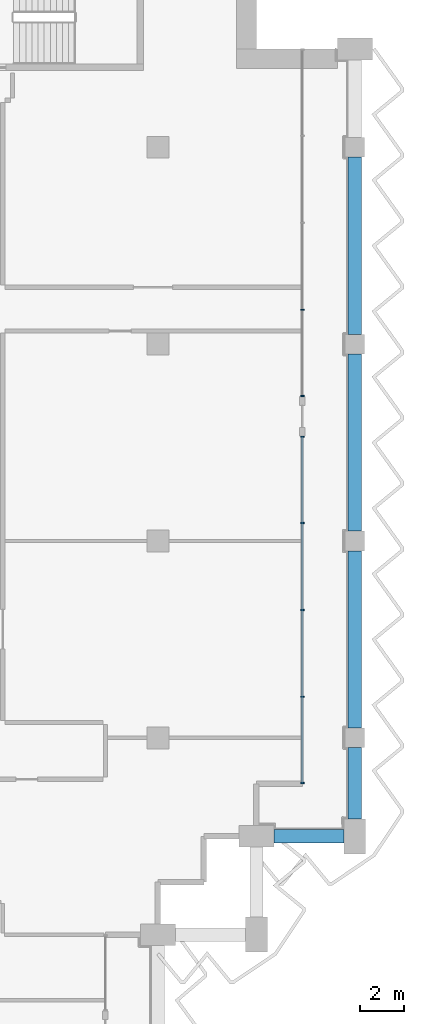
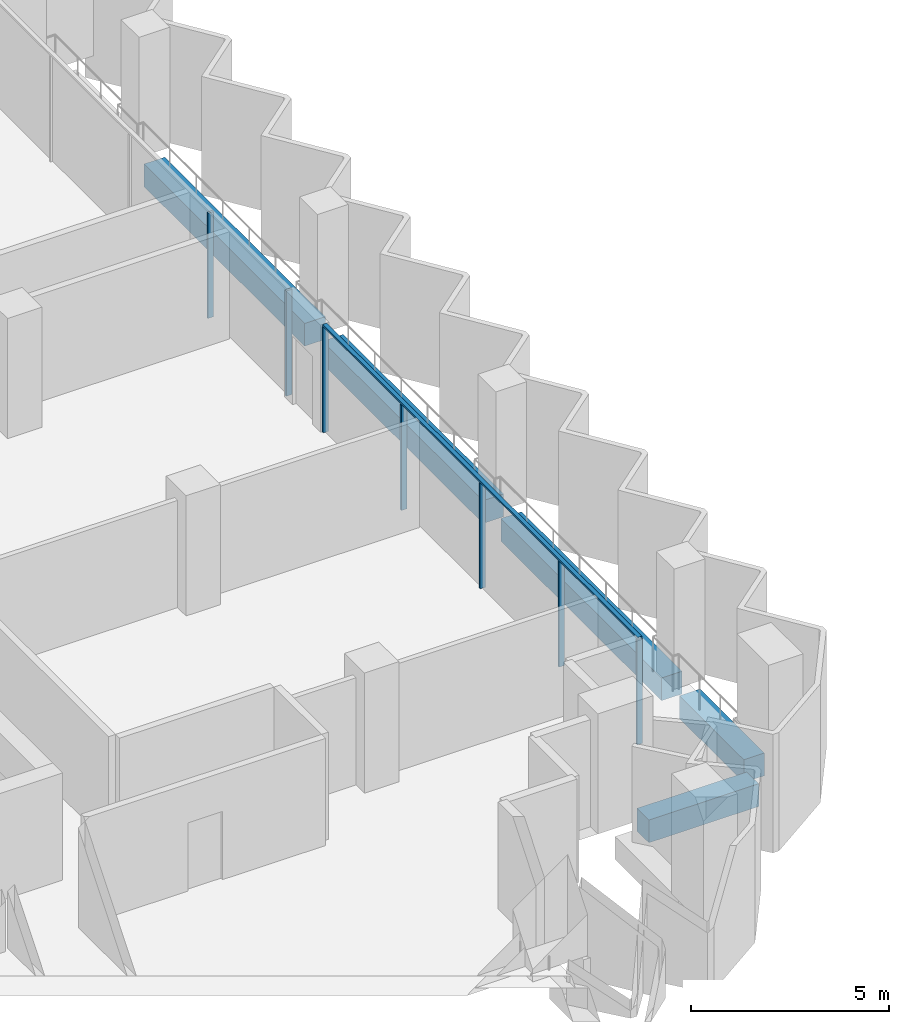
# One storey, part 4 of 16: 8 members, 5 beams, 2 elements without a shape of their own.
"""IFC4 building model written with IfcOpenShell, lengths in metres."""

from ifc_helpers import new_model, si_unit, direction, frame, origin, origin_2d, place, context, subcontext, project, spatial, rectangle, extrude, material, material_profile, profile_set, type_object, element, aggregate, save


model = new_model("IFC4")

# Units and contexts
model_context = context("Model", 3, precision=1e-05, world=origin(), true_north=direction((0.0, 1.0)))
body_context = subcontext(model_context, "Body", "Model", "MODEL_VIEW")
ifc_project = project(units=[si_unit("LENGTHUNIT", "METRE"), si_unit("AREAUNIT", "SQUARE_METRE"), si_unit("VOLUMEUNIT", "CUBIC_METRE"), si_unit("PLANEANGLEUNIT", "RADIAN"), si_unit("MASSUNIT", "GRAM", prefix="KILO")], contexts=[model_context])

# Site, building, storey
site_placement = place(None, origin())
site = spatial("IfcSite", under=ifc_project, at=site_placement, CompositionType="ELEMENT")
building_placement = place(site_placement, origin())
building = spatial("IfcBuilding", under=site, at=building_placement, Name="Hunhe Ridgeline Campus", CompositionType="ELEMENT")
storey_placement = place(building_placement, frame((0.0, 0.0, 254.0)))
storey = spatial("IfcBuildingStorey", under=building, at=storey_placement, Name="L65", CompositionType="ELEMENT", Elevation=254.0)

# Curtain wall, members
ifc_material_1 = material(Name="Aluminium 6063", Category="aluminium")
curtain_wall_type = type_object("IfcCurtainWallType", Name="Curtain wall CW-1", PredefinedType="NOTDEFINED", material=ifc_material_1)
curtain_wall_1_placement = place(storey_placement, origin())
curtain_wall_1 = element("IfcCurtainWall", 1, at=curtain_wall_1_placement, inside=storey, type_object=curtain_wall_type, Name="Curtain wall 13", PredefinedType="NOTDEFINED")
ifc_material_profile_1 = material_profile(ifc_material_1, rectangle(XDim=0.159912109375, YDim=0.06005859375, at=origin_2d()))
ifc_profile_set_1 = profile_set([ifc_material_profile_1], Name="Aluminium 6063")
member_type_1 = type_object("IfcMemberType", Name="CW-1 aluminium mullion", PredefinedType="MULLION", material=ifc_profile_set_1)
member_1_placement = place(storey_placement, frame((51.59912109375, 60.930908203125, 0.0), z_axis=(0.0, 0.0, 1.0), x_axis=(-1.0, 0.0, 0.0)))
member_1 = element("IfcMember", 2, at=member_1_placement, type_object=member_type_1, Name="CW-1 mullion 1", PredefinedType="MULLION", context=body_context, shape_type="SweptSolid", body=[
    extrude(rectangle(XDim=0.159912109375, YDim=0.06005859375, at=origin_2d()), origin(), (0.0, 0.0, 1.0), 3.239990234375),
])
member_2_placement = place(storey_placement, frame((51.59912109375, 64.8759765625, 0.0), z_axis=(0.0, 0.0, 1.0), x_axis=(-1.0, 0.0, 0.0)))
member_2 = element("IfcMember", 3, at=member_2_placement, type_object=member_type_1, Name="CW-1 mullion 2", PredefinedType="MULLION", context=body_context, shape_type="SweptSolid", body=[
    extrude(rectangle(XDim=0.159912109375, YDim=0.06005859375, at=origin_2d()), origin(), (0.0, 0.0, 1.0), 3.239990234375),
])
member_3_placement = place(storey_placement, frame((51.59912109375, 68.850830078125, 0.0), z_axis=(0.0, 0.0, 1.0), x_axis=(-1.0, 0.0, 0.0)))
member_3 = element("IfcMember", 4, at=member_3_placement, type_object=member_type_1, Name="CW-1 mullion 3", PredefinedType="MULLION", context=body_context, shape_type="SweptSolid", body=[
    extrude(rectangle(XDim=0.159912109375, YDim=0.06005859375, at=origin_2d()), origin(), (0.0, 0.0, 1.0), 3.239990234375),
])
member_4_placement = place(storey_placement, frame((51.59912109375, 72.82568359375, 0.0), z_axis=(0.0, 0.0, 1.0), x_axis=(-1.0, 0.0, 0.0)))
member_4 = element("IfcMember", 5, at=member_4_placement, type_object=member_type_1, Name="CW-1 mullion 4", PredefinedType="MULLION", context=body_context, shape_type="SweptSolid", body=[
    extrude(rectangle(XDim=0.159912109375, YDim=0.06005859375, at=origin_2d()), origin(), (0.0, 0.0, 1.0), 3.239990234375),
])
member_5_placement = place(storey_placement, frame((51.59912109375, 76.7705078125, 0.0), z_axis=(0.0, 0.0, 1.0), x_axis=(-1.0, 0.0, 0.0)))
member_5 = element("IfcMember", 6, at=member_5_placement, type_object=member_type_1, Name="CW-1 mullion 5", PredefinedType="MULLION", context=body_context, shape_type="SweptSolid", body=[
    extrude(rectangle(XDim=0.159912109375, YDim=0.06005859375, at=origin_2d()), origin(), (0.0, 0.0, 1.0), 3.239990234375),
])

curtain_wall_2_placement = place(storey_placement, origin())
curtain_wall_2 = element("IfcCurtainWall", 7, at=curtain_wall_2_placement, inside=storey, type_object=curtain_wall_type, Name="Curtain wall 14", PredefinedType="NOTDEFINED")
member_6_placement = place(storey_placement, frame((51.59912109375, 78.630615234375, 0.0), z_axis=(0.0, 0.0, 1.0), x_axis=(-1.0, 0.0, 0.0)))
member_6 = element("IfcMember", 8, at=member_6_placement, type_object=member_type_1, Name="CW-1 mullion 1", PredefinedType="MULLION", context=body_context, shape_type="SweptSolid", body=[
    extrude(rectangle(XDim=0.159912109375, YDim=0.06005859375, at=origin_2d()), origin(), (0.0, 0.0, 1.0), 3.239990234375),
])
member_7_placement = place(storey_placement, frame((51.59912109375, 82.575439453125, 0.0), z_axis=(0.0, 0.0, 1.0), x_axis=(-1.0, 0.0, 0.0)))
member_7 = element("IfcMember", 9, at=member_7_placement, type_object=member_type_1, Name="CW-1 mullion 2", PredefinedType="MULLION", context=body_context, shape_type="SweptSolid", body=[
    extrude(rectangle(XDim=0.159912109375, YDim=0.06005859375, at=origin_2d()), origin(), (0.0, 0.0, 1.0), 3.239990234375),
])
aggregate(curtain_wall_2, [member_6, member_7])

# Member
ifc_material_profile_2 = material_profile(ifc_material_1, rectangle(XDim=0.1201171875, YDim=0.06005859375, at=origin_2d()))
ifc_profile_set_2 = profile_set([ifc_material_profile_2], Name="Aluminium 6063")
member_type_2 = type_object("IfcMemberType", Name="CW-1 aluminium transom", PredefinedType="USERDEFINED", material=ifc_profile_set_2)
member_8_placement = place(storey_placement, frame((51.59912109375, 60.90087890625, 3.27001953125), z_axis=(0.0, 1.0, 0.0), x_axis=(-1.0, 0.0, 0.0)))
member_8 = element("IfcMember", 10, at=member_8_placement, type_object=member_type_2, Name="CW-1 transom 1", ObjectType="TRANSOM", PredefinedType="USERDEFINED", context=body_context, shape_type="SweptSolid", body=[
    extrude(rectangle(XDim=0.1201171875, YDim=0.06005859375, at=origin_2d()), origin(), (0.0, 0.0, 1.0), 15.899658203125),
])

aggregate(curtain_wall_1, [member_8, member_1, member_2, member_3, member_4, member_5])

# Beams
ifc_material_2 = material(Name="Concrete C50", Category="concrete")
ifc_material_profile_3 = material_profile(ifc_material_2, rectangle(XDim=0.60009765625, YDim=0.699951171875, at=origin_2d()))
ifc_profile_set_3 = profile_set([ifc_material_profile_3], Name="Concrete C50")
beam_type = type_object("IfcBeamType", Name="RC spandrel beam 600x700 Concrete C50", PredefinedType="SPANDREL", material=ifc_profile_set_3)
beam_1_placement = place(storey_placement, frame((50.300048828125, 58.5, -0.60009765625), z_axis=(1.0, 0.0, 0.0), x_axis=(0.0, 1.0, 0.0)))
element("IfcBeam", 11, at=beam_1_placement, inside=storey, type_object=beam_type, Name="Spandrel beam B4-12 L65", PredefinedType="SPANDREL", context=body_context, shape_type="SweptSolid", body=[
    extrude(rectangle(XDim=0.60009765625, YDim=0.699951171875, at=origin_2d()), origin(), (0.0, 0.0, 1.0), 3.199951171875),
])
beam_2_placement = place(storey_placement, frame((54.0, 59.300048828125, -0.60009765625), z_axis=(0.0, 1.0, 0.0), x_axis=(-1.0, 0.0, 0.0)))
element("IfcBeam", 12, at=beam_2_placement, inside=storey, type_object=beam_type, Name="Spandrel beam B4-13 L65", PredefinedType="SPANDREL", context=body_context, shape_type="SweptSolid", body=[
    extrude(rectangle(XDim=0.60009765625, YDim=0.699951171875, at=origin_2d()), origin(), (0.0, 0.0, 1.0), 3.25),
])
for number, where, z_axis, x_axis, name in (
    (13, (54.0, 63.449951171875, -0.60009765625), (0.0, 1.0, 0.0), (-1.0, 0.0, 0.0), "Spandrel beam B4-14 L65"),
    (14, (54.0, 72.449951171875, -0.60009765625), (0.0, 1.0, 0.0), (-1.0, 0.0, 0.0), "Spandrel beam B4-15 L65"),
    (15, (54.0, 81.449951171875, -0.60009765625), (0.0, 1.0, 0.0), (-1.0, 0.0, 0.0), "Spandrel beam B4-16 L65"),
):
    element("IfcBeam", number, at=place(storey_placement, frame(where, z_axis=z_axis, x_axis=x_axis)), inside=storey, type_object=beam_type, Name=name, PredefinedType="SPANDREL", context=body_context, shape_type="SweptSolid", body=[
        extrude(rectangle(XDim=0.60009765625, YDim=0.699951171875, at=origin_2d()), origin(), (0.0, 0.0, 1.0), 8.10009765625),
    ])

save(model, "model.ifc")
